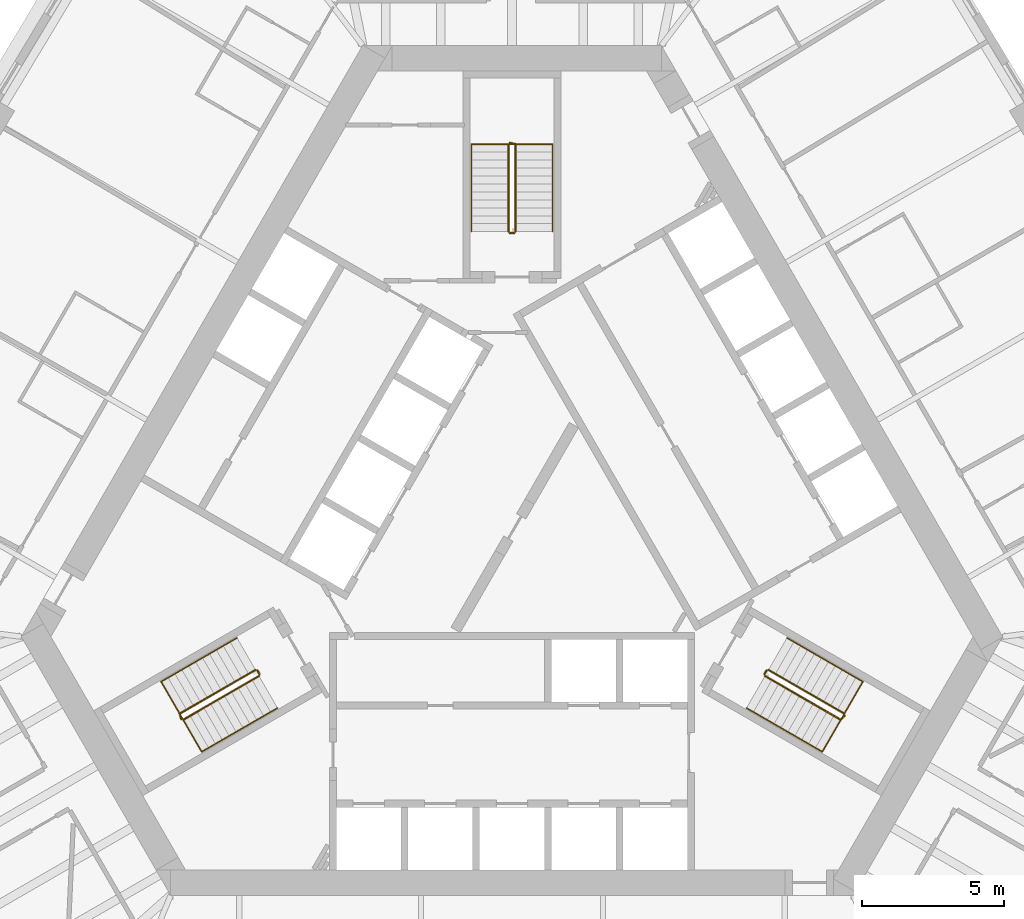
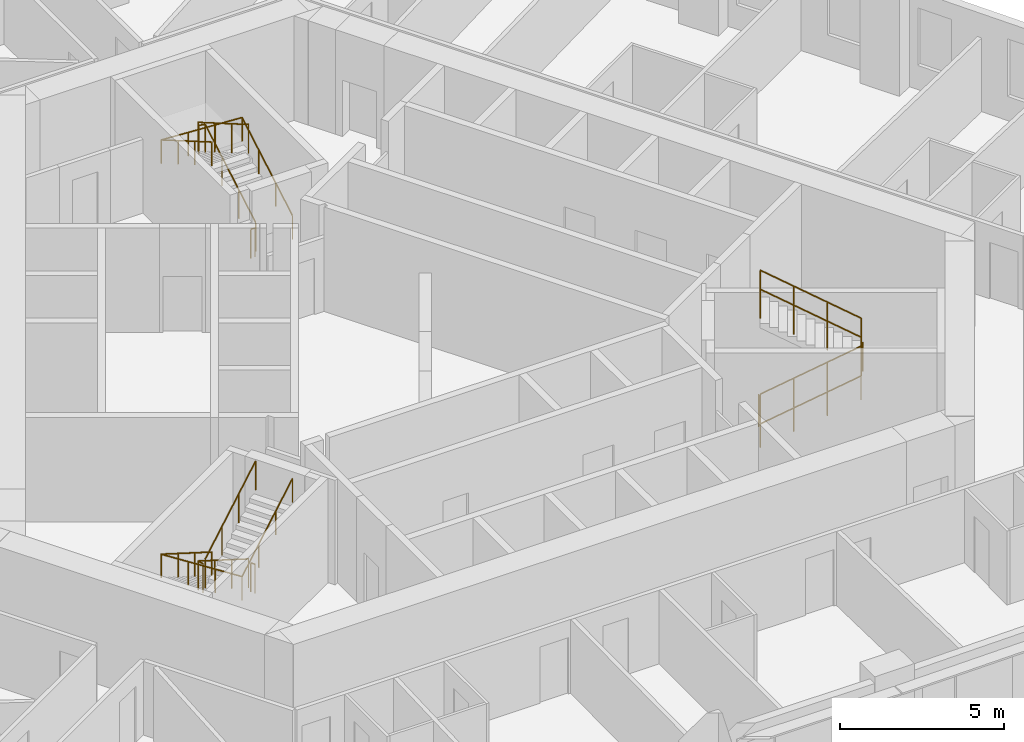
# One storey, part 13 of 13: 12 railings.
"""IFC4 building model written with IfcOpenShell, lengths in metres."""

import ifcopenshell
import ifcopenshell.guid

model = None  # the IFC model being written
_history = None  # IfcOwnerHistory: only IFC2X3 demands one
_inside = {}  # id of a spatial element -> (the spatial element, [elements in it])
_under = {}  # id of a project, library or spatial element -> (it, [spatial elements below it])
_declared = {}  # id of a project -> (the project, [libraries it declares])
_typed = {}  # id of a type object -> (the type object, [elements of that type])
_made_of = {}  # id of a material, layer set ... -> (it, [elements and type objects made of it])


def new_model(schema):
    """Start an empty IFC model of exactly this schema.

    Asked for "IFC4X3", IfcOpenShell would pick the latest addendum, in which some entities
    have other attributes; the version numbers below select the first issue.
    IFC2X3 requires an IfcOwnerHistory on every rooted entity: one is made here for all.
    """
    global model, _history
    if schema == "IFC4X3":
        model = ifcopenshell.file(schema_version=(4, 3, 0, 0))
    else:
        model = ifcopenshell.file(schema=schema)
    _inside.clear()
    _under.clear()
    _declared.clear()
    _typed.clear()
    _made_of.clear()
    _history = None
    if model.schema == "IFC2X3":
        org = make("IfcOrganization", Name="unknown")
        user = make(
            "IfcPersonAndOrganization",
            ThePerson=make("IfcPerson", FamilyName="unknown"),
            TheOrganization=org,
        )
        app = make(
            "IfcApplication",
            ApplicationDeveloper=org,
            Version="unknown",
            ApplicationFullName="unknown",
            ApplicationIdentifier="unknown",
        )
        _history = make(
            "IfcOwnerHistory",
            OwningUser=user,
            OwningApplication=app,
            ChangeAction="ADDED",
            CreationDate=0,
        )
    return model


def make(cls, **values):
    """One entity of the class cls with the attributes given. An attribute that is None is left unset."""
    return model.create_entity(
        cls, **{name: value for name, value in values.items() if value is not None}
    )


def rooted(cls, **values):
    """An entity with a GlobalId (a new one), such as an element, a storey or a relation."""
    return make(cls, GlobalId=ifcopenshell.guid.new(), OwnerHistory=_history, **values)


def si_unit(unit_type, name, prefix=None):
    """IfcSIUnit, for example si_unit("LENGTHUNIT", "METRE", prefix="MILLI")."""
    return make("IfcSIUnit", UnitType=unit_type, Prefix=prefix, Name=name)


def assignment(units):
    """IfcUnitAssignment: the units of a project."""
    return None if units is None else make("IfcUnitAssignment", Units=units)


def point(xyz):
    """IfcCartesianPoint."""
    return None if xyz is None else make("IfcCartesianPoint", Coordinates=xyz)


def direction(xyz):
    """IfcDirection."""
    return None if xyz is None else make("IfcDirection", DirectionRatios=xyz)


def frame(location, z_axis=None, x_axis=None):
    """IfcAxis2Placement3D, a coordinate frame: its origin and axes. An axis left out is left unset."""
    return make(
        "IfcAxis2Placement3D",
        Location=point(location),
        Axis=direction(z_axis),
        RefDirection=direction(x_axis),
    )


def frame_2d(location, x_axis=None):
    """IfcAxis2Placement2D, a coordinate frame in the plane: its origin and x axis."""
    return make(
        "IfcAxis2Placement2D", Location=point(location), RefDirection=direction(x_axis)
    )


def origin():
    """The frame at (0, 0, 0) with its axes left unset."""
    return frame((0.0, 0.0, 0.0))


def origin_2d():
    """The frame at (0, 0) in the plane with its x axis left unset."""
    return frame_2d((0.0, 0.0))


def place(relative_to, where):
    """IfcLocalPlacement: puts the frame where relative to a parent placement (None: the world)."""
    return make(
        "IfcLocalPlacement", PlacementRelTo=relative_to, RelativePlacement=where
    )


def context(
    kind, dimensions, precision=None, world=None, true_north=None, identifier=None
):
    """IfcGeometricRepresentationContext, for example the 3D "Model" context."""
    return make(
        "IfcGeometricRepresentationContext",
        ContextIdentifier=identifier,
        ContextType=kind,
        CoordinateSpaceDimension=dimensions,
        Precision=precision,
        WorldCoordinateSystem=world,
        TrueNorth=true_north,
    )


def subcontext(parent, identifier, kind, view, scale=None):
    """IfcGeometricRepresentationSubContext, for example "Body" below "Model"."""
    return make(
        "IfcGeometricRepresentationSubContext",
        ContextIdentifier=identifier,
        ContextType=kind,
        ParentContext=parent,
        TargetScale=scale,
        TargetView=view,
    )


def project(units=None, contexts=None):
    """IfcProject with its units and contexts."""
    return rooted(
        "IfcProject",
        Name="project",
        RepresentationContexts=contexts,
        UnitsInContext=assignment(units),
    )


def spatial(cls, under=None, at=None, **own):
    """A site, building, storey or space (cls), placed at a placement, below another one or the project."""
    s = rooted(cls, ObjectPlacement=at, **own)
    if under is not None:
        _under.setdefault(under.id(), (under, []))[1].append(s)
    return s


def profile(cls, at=None, kind="AREA", **sizes):
    """A parametric profile (cls). Its sizes go by their IFC names, for example OverallWidth=200.0."""
    return make(cls, ProfileType=kind, Position=at, **sizes)


def circle(**sizes):
    """IfcCircleProfileDef."""
    return profile("IfcCircleProfileDef", **sizes)


def extrude(swept, where, along, depth):
    """IfcExtrudedAreaSolid: the profile swept, set in the frame where, extruded along a direction by depth."""
    return make(
        "IfcExtrudedAreaSolid",
        SweptArea=swept,
        Position=where,
        ExtrudedDirection=direction(along),
        Depth=depth,
    )


def shape(context_of_items, identifier, shape_type, items):
    """IfcShapeRepresentation: the items that make up one representation, for example the "Body"."""
    return make(
        "IfcShapeRepresentation",
        ContextOfItems=context_of_items,
        RepresentationIdentifier=identifier,
        RepresentationType=shape_type,
        Items=items,
    )


def material(Name=None, Category=None):
    """IfcMaterial."""
    return make("IfcMaterial", Name=Name, Category=Category)


def made_of(thing, what):
    """Note that an element or type object is made of a material, layer set ...; save() writes the relation."""
    if what is not None:
        _made_of.setdefault(what.id(), (what, []))[1].append(thing)
    return thing


def type_object(cls, material=None, **own):
    """A type object (cls), such as IfcWallType, which elements share."""
    return made_of(rooted(cls, **own), material)


def element(
    cls,
    number,
    at=None,
    inside=None,
    cuts=None,
    type_object=None,
    material=None,
    context=None,
    identifier="Body",
    shape_type=None,
    held_by="IfcProductDefinitionShape",
    body=None,
    shapes=None,
    **own,
):
    """One element of the class cls, such as IfcWall. Its Tag is "e" and its number.

    at: its placement. inside: the storey or other place that contains it. cuts: it is an
    opening in that element (IfcRelVoidsElement). A single representation is given by context,
    identifier, shape_type and body (its items); several are given by shapes. held_by: the class
    of the entity that holds the representations. save() writes the other relations.
    """
    e = rooted(cls, Tag="e%d" % number, ObjectPlacement=at, **own)
    if body is not None:
        shapes = [shape(context, identifier, shape_type, body)]
    if shapes is not None:
        e.Representation = make(held_by, Representations=shapes)
    if inside is not None:
        _inside.setdefault(inside.id(), (inside, []))[1].append(e)
    if cuts is not None:
        rooted(
            "IfcRelVoidsElement", RelatingBuildingElement=cuts, RelatedOpeningElement=e
        )
    if type_object is not None:
        _typed.setdefault(type_object.id(), (type_object, []))[1].append(e)
    return made_of(e, material)


def aggregate(whole, parts):
    """IfcRelAggregates: a whole, such as a stair, and the parts it consists of."""
    return rooted("IfcRelAggregates", RelatingObject=whole, RelatedObjects=parts)


def save(model, path):
    """Write the relations noted so far, then the file.

    IfcRelAggregates (storeys below a building ...), IfcRelContainedInSpatialStructure (elements
    in a storey), IfcRelDefinesByType, IfcRelAssociatesMaterial and IfcRelDeclares: one each for
    every whole, place, type object, material and project.
    """
    for whole, parts in _under.values():
        aggregate(whole, parts)
    for where, things in _inside.values():
        rooted(
            "IfcRelContainedInSpatialStructure",
            RelatedElements=things,
            RelatingStructure=where,
        )
    for kind, things in _typed.values():
        rooted("IfcRelDefinesByType", RelatedObjects=things, RelatingType=kind)
    for what, things in _made_of.values():
        rooted("IfcRelAssociatesMaterial", RelatedObjects=things, RelatingMaterial=what)
    for by, libraries in _declared.values():
        rooted("IfcRelDeclares", RelatingContext=by, RelatedDefinitions=libraries)
    model.write(path)


model = new_model("IFC4")

# Units and contexts
model_context = context("Model", 3, precision=1e-05, world=origin(), true_north=direction((0.0, 1.0)))
body_context = subcontext(model_context, "Body", "Model", "MODEL_VIEW")
ifc_project = project(units=[si_unit("LENGTHUNIT", "METRE"), si_unit("AREAUNIT", "SQUARE_METRE"), si_unit("VOLUMEUNIT", "CUBIC_METRE"), si_unit("PLANEANGLEUNIT", "RADIAN"), si_unit("MASSUNIT", "GRAM", prefix="KILO")], contexts=[model_context])

# Site, building, storey
site_placement = place(None, origin())
site = spatial("IfcSite", under=ifc_project, at=site_placement, CompositionType="ELEMENT")
building_placement = place(site_placement, origin())
building = spatial("IfcBuilding", under=site, at=building_placement, Name="Mestral Congress Tower", CompositionType="ELEMENT")
storey_placement = place(building_placement, frame((0.0, 0.0, 35.39990234375)))
storey = spatial("IfcBuildingStorey", under=building, at=storey_placement, Name="L07", CompositionType="ELEMENT", Elevation=35.39990234375)

# Railings
ifc_material_1 = material(Name="Steel balustrade", Category="steel")
railing_type_1 = type_object("IfcRailingType", Name="Stair guard 1100", PredefinedType="GUARDRAIL", material=ifc_material_1)
railing_1_placement = place(storey_placement, frame((8.90087890625, -5.283203125, 0.16259765625)))
element("IfcRailing", 1, at=railing_1_placement, inside=storey, type_object=railing_type_1, Name="L07 ST1 stair guard 1", PredefinedType="GUARDRAIL", context=body_context, shape_type="SweptSolid", body=[
    extrude(circle(Radius=0.02392578125, at=origin_2d()), frame((0.0, 0.0, 1.076171875), z_axis=(0.748993966903, -0.432462603499, 0.501980212875), x_axis=(0.500026652407, 0.866010015463, 0.0)), (0.0, 0.0, 1.0), 3.56103515625),
    extrude(circle(Radius=0.02392578125, at=origin_2d()), frame((2.667236328125, -1.5400390625, 2.86376953125), z_axis=(0.695164929852, 0.718850276695, 0.0), x_axis=(-0.718850276695, 0.695164929852, 0.0)), (0.0, 0.0, 1.0), 0.2060546875),
    extrude(circle(Radius=0.02099609375, at=origin_2d()), origin(), (0.0, 0.0, 1.0), 1.052001953125),
    extrude(circle(Radius=0.02099609375, at=origin_2d()), frame((0.88916015625, -0.513427734375, 0.595947265625)), (0.0, 0.0, 1.0), 1.052001953125),
    extrude(circle(Radius=0.02099609375, at=origin_2d()), frame((1.778076171875, -1.026611328125, 1.191650390625)), (0.0, 0.0, 1.0), 1.052001953125),
    extrude(circle(Radius=0.02099609375, at=origin_2d()), frame((2.667236328125, -1.5400390625, 1.78759765625)), (0.0, 0.0, 1.0), 1.052001953125),
    extrude(circle(Radius=0.02099609375, at=origin_2d()), frame((2.810546875, -1.391845703125, 1.78759765625)), (0.0, 0.0, 1.0), 1.052001953125),
])
railing_2_placement = place(storey_placement, frame((11.693115234375, -6.606689453125, 2.112548828125)))
element("IfcRailing", 2, at=railing_2_placement, inside=storey, type_object=railing_type_1, Name="L07 ST1 stair guard 2", PredefinedType="GUARDRAIL", context=body_context, shape_type="SweptSolid", body=[
    extrude(circle(Radius=0.02392578125, at=origin_2d()), frame((0.0, 0.0, 1.076171875), z_axis=(-0.748993966903, 0.432462603499, 0.501980212875), x_axis=(-0.500026652407, -0.866010015463, 0.0)), (0.0, 0.0, 1.0), 3.56103515625),
    extrude(circle(Radius=0.02099609375, at=origin_2d()), origin(), (0.0, 0.0, 1.0), 1.052001953125),
    extrude(circle(Radius=0.02099609375, at=origin_2d()), frame((-0.88916015625, 0.513427734375, 0.595947265625)), (0.0, 0.0, 1.0), 1.052001953125),
    extrude(circle(Radius=0.02099609375, at=origin_2d()), frame((-1.778076171875, 1.026611328125, 1.191650390625)), (0.0, 0.0, 1.0), 1.052001953125),
    extrude(circle(Radius=0.02099609375, at=origin_2d()), frame((-2.667236328125, 1.5400390625, 1.78759765625)), (0.0, 0.0, 1.0), 1.052001953125),
])
railing_3_placement = place(storey_placement, frame((8.882568359375, -5.21484375, 0.0)))
element("IfcRailing", 3, at=railing_3_placement, inside=storey, type_object=railing_type_1, Name="L07 ST1 stair guard 3", PredefinedType="GUARDRAIL", context=body_context, shape_type="SweptSolid", body=[
    extrude(circle(Radius=0.02392578125, at=origin_2d()), frame((0.0, 0.0, 1.076171875), z_axis=(0.499816412211, 0.866131372301, 0.0), x_axis=(-0.866131372301, 0.499816412211, 0.0)), (0.0, 0.0, 1.0), 0.14990234375),
    extrude(circle(Radius=0.02099609375, at=origin_2d()), origin(), (0.0, 0.0, 1.0), 1.052001953125),
    extrude(circle(Radius=0.02099609375, at=origin_2d()), frame((0.074951171875, 0.1298828125, 0.0)), (0.0, 0.0, 1.0), 1.052001953125),
])
railing_4_placement = place(storey_placement, frame((0.125, 10.35009765625, 0.16259765625)))
element("IfcRailing", 4, at=railing_4_placement, inside=storey, type_object=railing_type_1, Name="L07 ST2 stair guard 1", PredefinedType="GUARDRAIL", context=body_context, shape_type="SweptSolid", body=[
    extrude(circle(Radius=0.02392578125, at=origin_2d()), frame((0.0, 0.0, 1.076171875), z_axis=(0.0, 0.864873446163, 0.501989962173), x_axis=(-1.0, 0.0, 0.0)), (0.0, 0.0, 1.0), 3.56103515625),
    extrude(circle(Radius=0.02392578125, at=origin_2d()), frame((0.0, 3.079833984375, 2.86376953125), z_axis=(-0.970072785993, 0.242814311512, 0.0), x_axis=(-0.242814311512, -0.970072785993, 0.0)), (0.0, 0.0, 1.0), 0.2060546875),
    extrude(circle(Radius=0.02099609375, at=origin_2d()), origin(), (0.0, 0.0, 1.0), 1.052001953125),
    extrude(circle(Radius=0.02099609375, at=origin_2d()), frame((0.0, 1.026611328125, 0.595947265625)), (0.0, 0.0, 1.0), 1.052001953125),
    extrude(circle(Radius=0.02099609375, at=origin_2d()), frame((0.0, 2.05322265625, 1.191650390625)), (0.0, 0.0, 1.0), 1.052001953125),
    extrude(circle(Radius=0.02099609375, at=origin_2d()), frame((0.0, 3.079833984375, 1.78759765625)), (0.0, 0.0, 1.0), 1.052001953125),
    extrude(circle(Radius=0.02099609375, at=origin_2d()), frame((-0.199951171875, 3.1298828125, 1.78759765625)), (0.0, 0.0, 1.0), 1.052001953125),
])
railing_5_placement = place(storey_placement, frame((-0.125, 13.429931640625, 2.112548828125)))
element("IfcRailing", 5, at=railing_5_placement, inside=storey, type_object=railing_type_1, Name="L07 ST2 stair guard 2", PredefinedType="GUARDRAIL", context=body_context, shape_type="SweptSolid", body=[
    extrude(circle(Radius=0.02392578125, at=origin_2d()), frame((0.0, 0.0, 1.076171875), z_axis=(0.0, -0.864873446163, 0.501989962173), x_axis=(1.0, 0.0, 0.0)), (0.0, 0.0, 1.0), 3.56103515625),
    extrude(circle(Radius=0.02099609375, at=origin_2d()), origin(), (0.0, 0.0, 1.0), 1.052001953125),
    extrude(circle(Radius=0.02099609375, at=origin_2d()), frame((0.0, -1.026611328125, 0.595947265625)), (0.0, 0.0, 1.0), 1.052001953125),
    extrude(circle(Radius=0.02099609375, at=origin_2d()), frame((0.0, -2.05322265625, 1.191650390625)), (0.0, 0.0, 1.0), 1.052001953125),
    extrude(circle(Radius=0.02099609375, at=origin_2d()), frame((0.0, -3.079833984375, 1.78759765625)), (0.0, 0.0, 1.0), 1.052001953125),
])
railing_6_placement = place(storey_placement, frame((0.074951171875, 10.300048828125, 0.0)))
element("IfcRailing", 6, at=railing_6_placement, inside=storey, type_object=railing_type_1, Name="L07 ST2 stair guard 3", PredefinedType="GUARDRAIL", context=body_context, shape_type="SweptSolid", body=[
    extrude(circle(Radius=0.02392578125, at=origin_2d()), frame((0.0, 0.0, 1.076171875), z_axis=(-1.0, 0.0, 0.0), x_axis=(0.0, -1.0, 0.0)), (0.0, 0.0, 1.0), 0.14990234375),
    extrude(circle(Radius=0.02099609375, at=origin_2d()), origin(), (0.0, 0.0, 1.0), 1.052001953125),
    extrude(circle(Radius=0.02099609375, at=origin_2d()), frame((-0.14990234375, 0.0, 0.0)), (0.0, 0.0, 1.0), 1.052001953125),
])
railing_7_placement = place(storey_placement, frame((-9.02587890625, -5.066650390625, 0.16259765625)))
element("IfcRailing", 7, at=railing_7_placement, inside=storey, type_object=railing_type_1, Name="L07 ST3 stair guard 1", PredefinedType="GUARDRAIL", context=body_context, shape_type="SweptSolid", body=[
    extrude(circle(Radius=0.02392578125, at=origin_2d()), frame((0.0, 0.0, 1.076171875), z_axis=(-0.748993966903, -0.432462603499, 0.501980212875), x_axis=(0.500026652407, -0.866010015463, 0.0)), (0.0, 0.0, 1.0), 3.56103515625),
    extrude(circle(Radius=0.02392578125, at=origin_2d()), frame((-2.667236328125, -1.5400390625, 2.86376953125), z_axis=(0.274721127897, -0.961523947641, 0.0), x_axis=(0.961523947641, 0.274721127897, 0.0)), (0.0, 0.0, 1.0), 0.2060546875),
    extrude(circle(Radius=0.02099609375, at=origin_2d()), origin(), (0.0, 0.0, 1.0), 1.052001953125),
    extrude(circle(Radius=0.02099609375, at=origin_2d()), frame((-0.88916015625, -0.513427734375, 0.595947265625)), (0.0, 0.0, 1.0), 1.052001953125),
    extrude(circle(Radius=0.02099609375, at=origin_2d()), frame((-1.778076171875, -1.026611328125, 1.191650390625)), (0.0, 0.0, 1.0), 1.052001953125),
    extrude(circle(Radius=0.02099609375, at=origin_2d()), frame((-2.667236328125, -1.5400390625, 1.78759765625)), (0.0, 0.0, 1.0), 1.052001953125),
    extrude(circle(Radius=0.02099609375, at=origin_2d()), frame((-2.610595703125, -1.73828125, 1.78759765625)), (0.0, 0.0, 1.0), 1.052001953125),
])
railing_8_placement = place(storey_placement, frame((-11.568115234375, -6.8232421875, 2.112548828125)))
element("IfcRailing", 8, at=railing_8_placement, inside=storey, type_object=railing_type_1, Name="L07 ST3 stair guard 2", PredefinedType="GUARDRAIL", context=body_context, shape_type="SweptSolid", body=[
    extrude(circle(Radius=0.02392578125, at=origin_2d()), frame((0.0, 0.0, 1.076171875), z_axis=(0.748993966903, 0.432462603499, 0.501980212875), x_axis=(-0.500026652407, 0.866010015463, 0.0)), (0.0, 0.0, 1.0), 3.56103515625),
    extrude(circle(Radius=0.02099609375, at=origin_2d()), origin(), (0.0, 0.0, 1.0), 1.052001953125),
    extrude(circle(Radius=0.02099609375, at=origin_2d()), frame((0.88916015625, 0.513427734375, 0.595947265625)), (0.0, 0.0, 1.0), 1.052001953125),
    extrude(circle(Radius=0.02099609375, at=origin_2d()), frame((1.778076171875, 1.026611328125, 1.191650390625)), (0.0, 0.0, 1.0), 1.052001953125),
    extrude(circle(Radius=0.02099609375, at=origin_2d()), frame((2.667236328125, 1.5400390625, 1.78759765625)), (0.0, 0.0, 1.0), 1.052001953125),
])
railing_9_placement = place(storey_placement, frame((-8.95751953125, -5.0849609375, 0.0)))
element("IfcRailing", 9, at=railing_9_placement, inside=storey, type_object=railing_type_1, Name="L07 ST3 stair guard 3", PredefinedType="GUARDRAIL", context=body_context, shape_type="SweptSolid", body=[
    extrude(circle(Radius=0.02392578125, at=origin_2d()), frame((0.0, 0.0, 1.076171875), z_axis=(0.499816412211, -0.866131372301, 0.0), x_axis=(0.866131372301, 0.499816412211, 0.0)), (0.0, 0.0, 1.0), 0.14990234375),
    extrude(circle(Radius=0.02099609375, at=origin_2d()), origin(), (0.0, 0.0, 1.0), 1.052001953125),
    extrude(circle(Radius=0.02099609375, at=origin_2d()), frame((0.074951171875, -0.1298828125, 0.0)), (0.0, 0.0, 1.0), 1.052001953125),
])
ifc_material_2 = material(Name="Steel handrail", Category="steel")
railing_type_2 = type_object("IfcRailingType", Name="Stair handrail 900", PredefinedType="HANDRAIL", material=ifc_material_2)
railing_10_placement = place(storey_placement, frame((8.2509765625, -6.4091796875, 0.16259765625)))
element("IfcRailing", 10, at=railing_10_placement, inside=storey, type_object=railing_type_2, Name="L07 ST1 stair handrail 1", PredefinedType="HANDRAIL", context=body_context, shape_type="SweptSolid", body=[
    extrude(circle(Radius=0.02392578125, at=origin_2d()), frame((0.0, 0.0, 0.8759765625), z_axis=(0.749016172816, -0.432406865167, 0.50199509541), x_axis=(0.499967199496, 0.866044340336, 0.0)), (0.0, 0.0, 1.0), 3.56103515625),
    extrude(circle(Radius=0.02392578125, at=origin_2d()), frame((2.667236328125, -1.539794921875, 2.66357421875), z_axis=(0.499226936105, 0.864602552182, 0.056876120012), x_axis=(-0.866004402611, 0.500036373335, 0.0)), (0.0, 0.0, 1.0), 2.8544921875),
    extrude(circle(Radius=0.02392578125, at=origin_2d()), frame((4.09228515625, 0.92822265625, 2.82568359375), z_axis=(-0.74902406201, 0.432440397507, 0.501954437309), x_axis=(-0.499992328818, -0.866029832698, 0.0)), (0.0, 0.0, 1.0), 3.561279296875),
    extrude(circle(Radius=0.02099609375, at=origin_2d()), origin(), (0.0, 0.0, 1.0), 0.851806640625),
    extrude(circle(Radius=0.02099609375, at=origin_2d()), frame((0.88916015625, -0.51318359375, 0.595947265625)), (0.0, 0.0, 1.0), 0.851806640625),
    extrude(circle(Radius=0.02099609375, at=origin_2d()), frame((1.778076171875, -1.026611328125, 1.191650390625)), (0.0, 0.0, 1.0), 0.851806640625),
    extrude(circle(Radius=0.02099609375, at=origin_2d()), frame((2.667236328125, -1.539794921875, 1.78759765625)), (0.0, 0.0, 1.0), 0.851806640625),
    extrude(circle(Radius=0.02099609375, at=origin_2d()), frame((3.142333984375, -0.717041015625, 1.841796875)), (0.0, 0.0, 1.0), 0.851806640625),
    extrude(circle(Radius=0.02099609375, at=origin_2d()), frame((3.6171875, 0.10546875, 1.895751953125)), (0.0, 0.0, 1.0), 0.851806640625),
    extrude(circle(Radius=0.02099609375, at=origin_2d()), frame((4.09228515625, 0.92822265625, 1.949951171875)), (0.0, 0.0, 1.0), 0.851806640625),
    extrude(circle(Radius=0.02099609375, at=origin_2d()), frame((3.203125, 1.441650390625, 2.5458984375)), (0.0, 0.0, 1.0), 0.851806640625),
    extrude(circle(Radius=0.02099609375, at=origin_2d()), frame((2.31396484375, 1.954833984375, 3.1416015625)), (0.0, 0.0, 1.0), 0.851806640625),
    extrude(circle(Radius=0.02099609375, at=origin_2d()), frame((1.4248046875, 2.46826171875, 3.737548828125)), (0.0, 0.0, 1.0), 0.851806640625),
])
railing_11_placement = place(storey_placement, frame((1.425048828125, 10.35009765625, 0.16259765625)))
element("IfcRailing", 11, at=railing_11_placement, inside=storey, type_object=railing_type_2, Name="L07 ST2 stair handrail 1", PredefinedType="HANDRAIL", context=body_context, shape_type="SweptSolid", body=[
    extrude(circle(Radius=0.02392578125, at=origin_2d()), frame((0.0, 0.0, 0.8759765625), z_axis=(0.0, 0.864873446163, 0.501989962173), x_axis=(-1.0, 0.0, 0.0)), (0.0, 0.0, 1.0), 3.56103515625),
    extrude(circle(Radius=0.02392578125, at=origin_2d()), frame((0.0, 3.079833984375, 2.66357421875), z_axis=(-0.998381478221, 0.0, 0.056871996147), x_axis=(0.0, -1.0, 0.0)), (0.0, 0.0, 1.0), 2.854736328125),
    extrude(circle(Radius=0.02392578125, at=origin_2d()), frame((-2.85009765625, 3.079833984375, 2.82568359375), z_axis=(0.0, -0.864873446163, 0.501989962173), x_axis=(1.0, 0.0, 0.0)), (0.0, 0.0, 1.0), 3.56103515625),
    extrude(circle(Radius=0.02099609375, at=origin_2d()), origin(), (0.0, 0.0, 1.0), 0.851806640625),
    extrude(circle(Radius=0.02099609375, at=origin_2d()), frame((0.0, 1.026611328125, 0.595947265625)), (0.0, 0.0, 1.0), 0.851806640625),
    extrude(circle(Radius=0.02099609375, at=origin_2d()), frame((0.0, 2.05322265625, 1.191650390625)), (0.0, 0.0, 1.0), 0.851806640625),
    extrude(circle(Radius=0.02099609375, at=origin_2d()), frame((0.0, 3.079833984375, 1.78759765625)), (0.0, 0.0, 1.0), 0.851806640625),
    extrude(circle(Radius=0.02099609375, at=origin_2d()), frame((-0.949951171875, 3.079833984375, 1.841796875)), (0.0, 0.0, 1.0), 0.851806640625),
    extrude(circle(Radius=0.02099609375, at=origin_2d()), frame((-1.900146484375, 3.079833984375, 1.895751953125)), (0.0, 0.0, 1.0), 0.851806640625),
    extrude(circle(Radius=0.02099609375, at=origin_2d()), frame((-2.85009765625, 3.079833984375, 1.949951171875)), (0.0, 0.0, 1.0), 0.851806640625),
    extrude(circle(Radius=0.02099609375, at=origin_2d()), frame((-2.85009765625, 2.05322265625, 2.5458984375)), (0.0, 0.0, 1.0), 0.851806640625),
    extrude(circle(Radius=0.02099609375, at=origin_2d()), frame((-2.85009765625, 1.026611328125, 3.1416015625)), (0.0, 0.0, 1.0), 0.851806640625),
    extrude(circle(Radius=0.02099609375, at=origin_2d()), frame((-2.85009765625, 0.0, 3.737548828125)), (0.0, 0.0, 1.0), 0.851806640625),
])
railing_12_placement = place(storey_placement, frame((-9.67578125, -3.94091796875, 0.16259765625)))
element("IfcRailing", 12, at=railing_12_placement, inside=storey, type_object=railing_type_2, Name="L07 ST3 stair handrail 1", PredefinedType="HANDRAIL", context=body_context, shape_type="SweptSolid", body=[
    extrude(circle(Radius=0.02392578125, at=origin_2d()), frame((0.0, 0.0, 0.8759765625), z_axis=(-0.74902406201, -0.432440397507, 0.501954437309), x_axis=(0.499992328818, -0.866029832698, 0.0)), (0.0, 0.0, 1.0), 3.561279296875),
    extrude(circle(Radius=0.02392578125, at=origin_2d()), frame((-2.66748046875, -1.5400390625, 2.66357421875), z_axis=(0.499226936105, -0.864602552182, 0.056876120012), x_axis=(0.866004402611, 0.500036373335, 0.0)), (0.0, 0.0, 1.0), 2.8544921875),
    extrude(circle(Radius=0.02392578125, at=origin_2d()), frame((-1.242431640625, -4.008056640625, 2.82568359375), z_axis=(0.749016172816, 0.432406865167, 0.50199509541), x_axis=(-0.499967199496, 0.866044340336, 0.0)), (0.0, 0.0, 1.0), 3.56103515625),
    extrude(circle(Radius=0.02099609375, at=origin_2d()), origin(), (0.0, 0.0, 1.0), 0.851806640625),
    extrude(circle(Radius=0.02099609375, at=origin_2d()), frame((-0.88916015625, -0.513427734375, 0.595947265625)), (0.0, 0.0, 1.0), 0.851806640625),
    extrude(circle(Radius=0.02099609375, at=origin_2d()), frame((-1.7783203125, -1.026611328125, 1.191650390625)), (0.0, 0.0, 1.0), 0.851806640625),
    extrude(circle(Radius=0.02099609375, at=origin_2d()), frame((-2.66748046875, -1.5400390625, 1.78759765625)), (0.0, 0.0, 1.0), 0.851806640625),
    extrude(circle(Radius=0.02099609375, at=origin_2d()), frame((-2.1923828125, -2.36279296875, 1.841796875)), (0.0, 0.0, 1.0), 0.851806640625),
    extrude(circle(Radius=0.02099609375, at=origin_2d()), frame((-1.717529296875, -3.185302734375, 1.895751953125)), (0.0, 0.0, 1.0), 0.851806640625),
    extrude(circle(Radius=0.02099609375, at=origin_2d()), frame((-1.242431640625, -4.008056640625, 1.949951171875)), (0.0, 0.0, 1.0), 0.851806640625),
    extrude(circle(Radius=0.02099609375, at=origin_2d()), frame((-0.353271484375, -3.494873046875, 2.5458984375)), (0.0, 0.0, 1.0), 0.851806640625),
    extrude(circle(Radius=0.02099609375, at=origin_2d()), frame((0.53564453125, -2.9814453125, 3.1416015625)), (0.0, 0.0, 1.0), 0.851806640625),
    extrude(circle(Radius=0.02099609375, at=origin_2d()), frame((1.4248046875, -2.46826171875, 3.737548828125)), (0.0, 0.0, 1.0), 0.851806640625),
])

save(model, "model.ifc")
